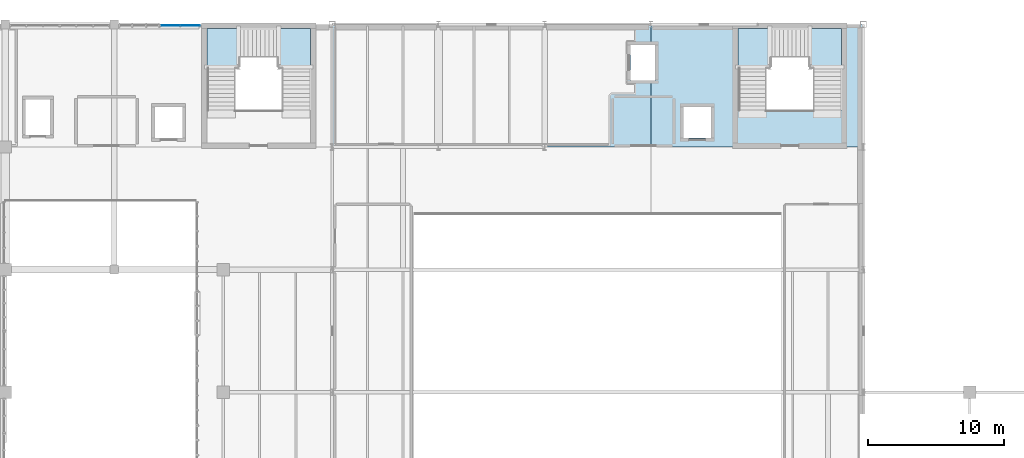
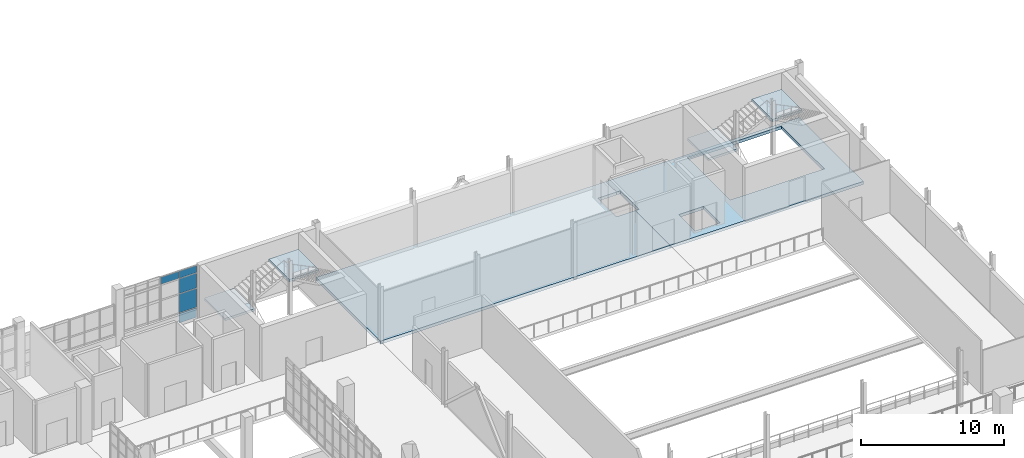
# One storey, part 77 of 102: 6 slabs, 5 plates, 3 elements without a shape of their own.
"""IFC4 building model written with IfcOpenShell, lengths in metres."""

from ifc_helpers import new_model, si_unit, derived_unit, direction, frame, origin, origin_2d, place, context, subcontext, project, spatial, polyline, rectangle, outline, extrude, material, layer, layer_set, type_object, element, aggregate, save


model = new_model("IFC4")

# Units and contexts
model_context = context("Model", 3, precision=1e-05, world=origin(), true_north=direction((0.0, 1.0)))
body_context = subcontext(model_context, "Body", "Model", "MODEL_VIEW")
ifc_project = project(units=[si_unit("LENGTHUNIT", "METRE"), si_unit("AREAUNIT", "SQUARE_METRE"), si_unit("VOLUMEUNIT", "CUBIC_METRE"), si_unit("PLANEANGLEUNIT", "RADIAN"), si_unit("MASSUNIT", "GRAM", prefix="KILO"), derived_unit("THERMALTRANSMITTANCEUNIT", [(si_unit("POWERUNIT", "WATT"), 1), (si_unit("LENGTHUNIT", "METRE"), -2), (si_unit("THERMODYNAMICTEMPERATUREUNIT", "KELVIN"), -1)])], contexts=[model_context])

# Site, building, storey
site_placement = place(None, origin())
site = spatial("IfcSite", under=ifc_project, at=site_placement, CompositionType="ELEMENT")
building_placement = place(site_placement, origin())
building = spatial("IfcBuilding", under=site, at=building_placement, Name="Nallur Shell Playhouse", CompositionType="ELEMENT")
storey_placement = place(building_placement, frame((0.0, 0.0, 15.0)))
storey = spatial("IfcBuildingStorey", under=building, at=storey_placement, Name="L04", CompositionType="ELEMENT", Elevation=15.0)

# Curtain wall, plates
ifc_material_1 = material(Name="Anodised Aluminium Double-Glazed Facade System", Category="aluminium")
ifc_layer_1 = layer(ifc_material_1, 0.1640625)
ifc_layer_set_1 = layer_set([ifc_layer_1], Name="Anodised Aluminium Double-Glazed Facade System")
curtain_wall_type = type_object("IfcCurtainWallType", Name="CW-UNIT-13", PredefinedType="NOTDEFINED", material=ifc_layer_set_1)
curtain_wall_placement = place(storey_placement, origin())
curtain_wall = element("IfcCurtainWall", 1, at=curtain_wall_placement, inside=storey, type_object=curtain_wall_type, Name="Unitised curtain wall CW-109 (L04)", PredefinedType="NOTDEFINED")
ifc_material_2 = material(Name="Solar-Control Low-E Laminated Insulating Glass", Category="glass")
ifc_layer_2 = layer(ifc_material_2, 0.033935546875)
ifc_layer_set_2 = layer_set([ifc_layer_2], Name="Solar-Control Low-E Laminated Insulating Glass")
plate_type = type_object("IfcPlateType", Name="PT-GLZ-05", PredefinedType="CURTAIN_PANEL", material=ifc_layer_set_2)
plate_1_placement = place(storey_placement, frame((52.113525390625, 82.909912109375, 3.87451171875), z_axis=(0.0, 0.0, 1.0), x_axis=(1.0, 0.0, 0.0)))
plate_1 = element("IfcPlate", 2, at=plate_1_placement, type_object=plate_type, Name="CW-13 panel 1.4", PredefinedType="CURTAIN_PANEL", context=body_context, shape_type="SweptSolid", body=[
    extrude(rectangle(XDim=1.420166015625, YDim=0.033935546875, at=origin_2d()), origin(), (0.0, 0.0, 1.0), 0.598388671875),
])
plate_2_placement = place(storey_placement, frame((53.582763671875, 82.909912109375, 0.05712890625), z_axis=(0.0, 0.0, 1.0), x_axis=(1.0, 0.0, 0.0)))
plate_2 = element("IfcPlate", 3, at=plate_2_placement, type_object=plate_type, Name="CW-13 panel 2.1", PredefinedType="CURTAIN_PANEL", context=body_context, shape_type="SweptSolid", body=[
    extrude(rectangle(XDim=1.420166015625, YDim=0.033935546875, at=origin_2d()), origin(), (0.0, 0.0, 1.0), 0.818603515625),
])
plate_3_placement = place(storey_placement, frame((53.582763671875, 82.909912109375, 0.924560546875), z_axis=(0.0, 0.0, 1.0), x_axis=(1.0, 0.0, 0.0)))
plate_3 = element("IfcPlate", 4, at=plate_3_placement, type_object=plate_type, Name="CW-13 panel 2.2", PredefinedType="CURTAIN_PANEL", context=body_context, shape_type="SweptSolid", body=[
    extrude(rectangle(XDim=1.420166015625, YDim=0.033935546875, at=origin_2d()), origin(), (0.0, 0.0, 1.0), 1.587890625),
])
plate_4_placement = place(storey_placement, frame((53.582763671875, 82.909912109375, 2.5615234375), z_axis=(0.0, 0.0, 1.0), x_axis=(1.0, 0.0, 0.0)))
plate_4 = element("IfcPlate", 5, at=plate_4_placement, type_object=plate_type, Name="CW-13 panel 2.3", PredefinedType="CURTAIN_PANEL", context=body_context, shape_type="SweptSolid", body=[
    extrude(rectangle(XDim=1.420166015625, YDim=0.033935546875, at=origin_2d()), origin(), (0.0, 0.0, 1.0), 1.263916015625),
])
plate_5_placement = place(storey_placement, frame((53.582763671875, 82.909912109375, 3.87451171875), z_axis=(0.0, 0.0, 1.0), x_axis=(1.0, 0.0, 0.0)))
plate_5 = element("IfcPlate", 6, at=plate_5_placement, type_object=plate_type, Name="CW-13 panel 2.4", PredefinedType="CURTAIN_PANEL", context=body_context, shape_type="SweptSolid", body=[
    extrude(rectangle(XDim=1.420166015625, YDim=0.033935546875, at=origin_2d()), origin(), (0.0, 0.0, 1.0), 0.598388671875),
])
aggregate(curtain_wall, [plate_1, plate_2, plate_3, plate_4, plate_5])

# Slabs
ifc_material_3 = material(Name="Concrete M30", Category="concrete")
ifc_layer_3 = layer(ifc_material_3, 0.260009765625)
ifc_layer_set_3 = layer_set([ifc_layer_3], Name="Concrete M30")
slab_type_1 = type_object("IfcSlabType", Name="SL-FLOOR-260", PredefinedType="FLOOR", material=ifc_layer_set_3)
slab_1_placement = place(storey_placement, frame((0.0, 0.0, -0.260009765625)))
element("IfcSlab", 7, at=slab_1_placement, inside=storey, type_object=slab_type_1, Name="L04 structural floor slab panel 12", PredefinedType="FLOOR", context=body_context, shape_type="SweptSolid", body=[
    extrude(outline(polyline([(87.39990234375, 83.0), (87.39990234375, 81.5), (85.89990234375, 81.5), (85.89990234375, 78.89990234375), (87.39990234375, 78.89990234375), (87.39990234375, 74.0), (64.0, 74.0), (64.0, 83.0), (87.39990234375, 83.0)])), origin(), (0.0, 0.0, 1.0), 0.260009765625),
])
slab_2_placement = place(storey_placement, frame((0.0, 0.0, -0.260009765625)))
element("IfcSlab", 8, at=slab_2_placement, inside=storey, type_object=slab_type_1, Name="L04 structural floor slab panel 16", PredefinedType="FLOOR", context=body_context, shape_type="SweptSolid", body=[
    extrude(outline(polyline([(103.0, 83.0), (103.0, 74.0), (87.39990234375, 74.0), (87.39990234375, 78.89990234375), (87.699951171875, 78.89990234375), (87.699951171875, 81.5), (87.39990234375, 81.5), (87.39990234375, 83.0), (103.0, 83.0)]), holes=[polyline([(91.800048828125, 76.949951171875), (89.800048828125, 76.949951171875), (89.800048828125, 74.64990234375), (91.800048828125, 74.64990234375), (91.800048828125, 76.949951171875)]), polyline([(101.39990234375, 76.699951171875), (101.39990234375, 82.699951171875), (93.800048828125, 82.699951171875), (93.800048828125, 76.699951171875), (101.39990234375, 76.699951171875)])]), origin(), (0.0, 0.0, 1.0), 0.260009765625),
])

# Stair, slabs
ifc_material_4 = material(Name="Concrete M35", Category="concrete")
stair_type = type_object("IfcStairType", Name="ST-CORE-48", PredefinedType="QUARTER_TURN_STAIR", material=ifc_material_4)
stair_1_placement = place(storey_placement, origin())
stair_1 = element("IfcStair", 9, at=stair_1_placement, inside=storey, type_object=stair_type, Name="Core JC-3 exit stair ST-03-L04 (L04 to L05)", PredefinedType="QUARTER_TURN_STAIR")
ifc_layer_4 = layer(ifc_material_4, 0.199951171875)
ifc_layer_set_4 = layer_set([ifc_layer_4], Name="Concrete M35")
slab_type_2 = type_object("IfcSlabType", Name="SL-LANDING-200", PredefinedType="LANDING", material=ifc_layer_set_4)
slab_3_placement = place(storey_placement, frame((0.0, 0.0, 1.449951171875)))
slab_3 = element("IfcSlab", 10, at=slab_3_placement, type_object=slab_type_2, Name="ST-48 landing 1", PredefinedType="LANDING", context=body_context, shape_type="SweptSolid", body=[
    extrude(outline(polyline([(54.800048828125, 79.800048828125), (57.205078125, 79.800048828125), (57.205078125, 82.699951171875), (54.800048828125, 82.699951171875), (54.800048828125, 79.800048828125)])), origin(), (0.0, 0.0, 1.0), 0.199951171875),
])
slab_4_placement = place(storey_placement, frame((0.0, 0.0, 2.949951171875)))
slab_4 = element("IfcSlab", 11, at=slab_4_placement, type_object=slab_type_2, Name="ST-48 landing 2", PredefinedType="LANDING", context=body_context, shape_type="SweptSolid", body=[
    extrude(outline(polyline([(59.9951171875, 79.800048828125), (62.39990234375, 79.800048828125), (62.39990234375, 82.699951171875), (59.9951171875, 82.699951171875), (59.9951171875, 79.800048828125)])), origin(), (0.0, 0.0, 1.0), 0.199951171875),
])
aggregate(stair_1, [slab_3, slab_4])

stair_2_placement = place(storey_placement, origin())
stair_2 = element("IfcStair", 12, at=stair_2_placement, inside=storey, type_object=stair_type, Name="Core JC-4 exit stair ST-04-L04 (L04 to L05)", PredefinedType="QUARTER_TURN_STAIR")
slab_5_placement = place(storey_placement, frame((0.0, 0.0, 1.449951171875)))
slab_5 = element("IfcSlab", 13, at=slab_5_placement, type_object=slab_type_2, Name="ST-48 landing 1", PredefinedType="LANDING", context=body_context, shape_type="SweptSolid", body=[
    extrude(outline(polyline([(93.800048828125, 79.800048828125), (96.205078125, 79.800048828125), (96.205078125, 82.699951171875), (93.800048828125, 82.699951171875), (93.800048828125, 79.800048828125)])), origin(), (0.0, 0.0, 1.0), 0.199951171875),
])
slab_6_placement = place(storey_placement, frame((0.0, 0.0, 2.949951171875)))
slab_6 = element("IfcSlab", 14, at=slab_6_placement, type_object=slab_type_2, Name="ST-48 landing 2", PredefinedType="LANDING", context=body_context, shape_type="SweptSolid", body=[
    extrude(outline(polyline([(98.9951171875, 79.800048828125), (101.39990234375, 79.800048828125), (101.39990234375, 82.699951171875), (98.9951171875, 82.699951171875), (98.9951171875, 79.800048828125)])), origin(), (0.0, 0.0, 1.0), 0.199951171875),
])
aggregate(stair_2, [slab_5, slab_6])

save(model, "model.ifc")
